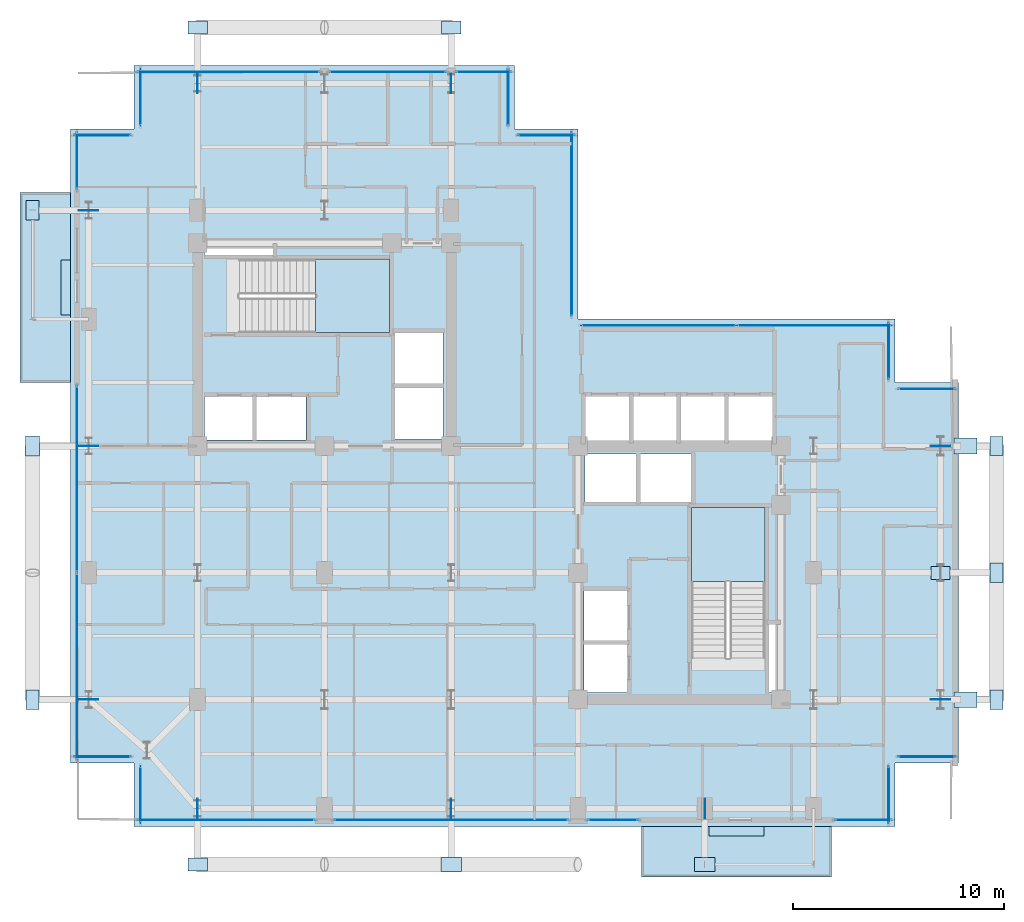
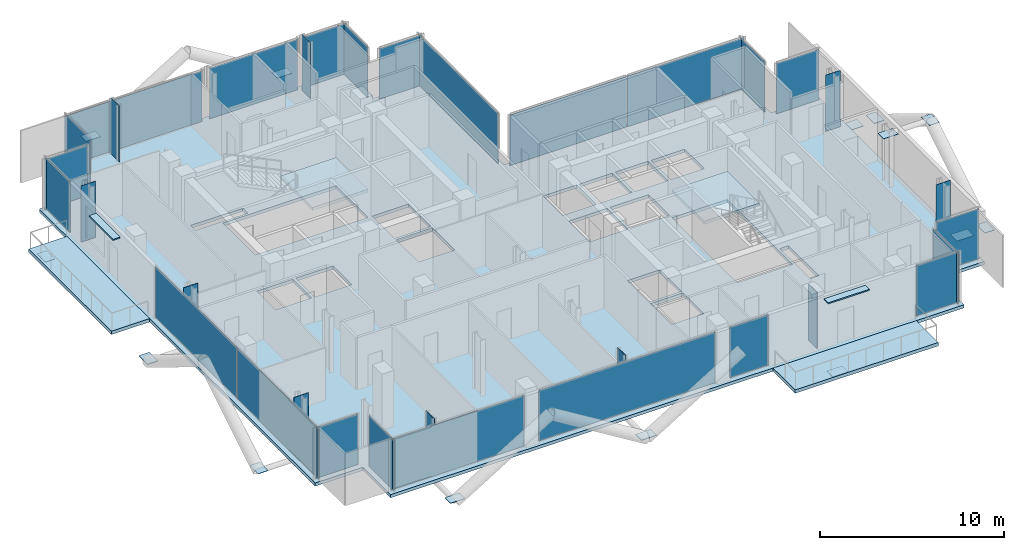
# One storey, part 16 of 26: 49 plates, 5 slabs, 23 elements without a shape of their own.
"""IFC4 building model written with IfcOpenShell, lengths in metres."""

from ifc_helpers import new_model, si_unit, direction, frame, origin, origin_2d, place, context, subcontext, project, spatial, polyline, rectangle, outline, extrude, material, layer, layer_set, type_object, element, aggregate, save


model = new_model("IFC4")

# Units and contexts
model_context = context("Model", 3, precision=1e-05, world=origin(), true_north=direction((0.0, 1.0)))
body_context = subcontext(model_context, "Body", "Model", "MODEL_VIEW")
ifc_project = project(units=[si_unit("LENGTHUNIT", "METRE"), si_unit("AREAUNIT", "SQUARE_METRE"), si_unit("VOLUMEUNIT", "CUBIC_METRE"), si_unit("PLANEANGLEUNIT", "RADIAN"), si_unit("MASSUNIT", "GRAM", prefix="KILO"), si_unit("THERMODYNAMICTEMPERATUREUNIT", "KELVIN"), si_unit("POWERUNIT", "WATT")], contexts=[model_context])

# Site, building, storey
site_placement = place(None, origin())
site = spatial("IfcSite", under=ifc_project, at=site_placement, CompositionType="ELEMENT")
building_placement = place(site_placement, origin())
building = spatial("IfcBuilding", under=site, at=building_placement, Name="Svarakhadi Broadcast Tower", CompositionType="ELEMENT")
storey_placement = place(building_placement, frame((0.0, 0.0, 195.449951171875)))
storey = spatial("IfcBuildingStorey", under=building, at=storey_placement, Name="L48", CompositionType="ELEMENT", Elevation=195.449951171875)

# Curtain wall, plate
ifc_material_1 = material(Name="Anodised Bronze Aluminium AA 6063-T6", Category="aluminium")
ifc_layer_1 = layer(ifc_material_1, 0.18994140625)
ifc_layer_set_1 = layer_set([ifc_layer_1], Name="Anodised Bronze Aluminium AA 6063-T6")
curtain_wall_type = type_object("IfcCurtainWallType", Name="CW_Sys_04", PredefinedType="NOTDEFINED", material=ifc_layer_set_1)
curtain_wall_1_placement = place(storey_placement, origin())
curtain_wall_1 = element("IfcCurtainWall", 1, at=curtain_wall_1_placement, inside=storey, type_object=curtain_wall_type, Name="L48 Unitised Facade Curtain Wall 01", PredefinedType="NOTDEFINED")
ifc_material_2 = material(Name="Double Low-E Laminated Acoustic Glass IGU 36 mm", Category="glass")
ifc_layer_2 = layer(ifc_material_2, 0.033935546875)
ifc_layer_set_2 = layer_set([ifc_layer_2], Name="Double Low-E Laminated Acoustic Glass IGU 36 mm")
plate_type_1 = type_object("IfcPlateType", Name="CW_Sys_04_Pnl", PredefinedType="CURTAIN_PANEL", material=ifc_layer_set_2)
plate_1_placement = place(storey_placement, frame((1.5, 3.300048828125, 0.06494140625), z_axis=(0.0, 0.0, 1.0), x_axis=(-1.0, 0.0, 0.0)))
plate_1 = element("IfcPlate", 2, at=plate_1_placement, type_object=plate_type_1, Name="CW-04 panel 1.1", PredefinedType="CURTAIN_PANEL", context=body_context, shape_type="SweptSolid", body=[
    extrude(rectangle(XDim=2.679931640625, YDim=0.033935546875, at=origin_2d()), origin(), (0.0, 0.0, 1.0), 3.344970703125),
])
aggregate(curtain_wall_1, [plate_1])

# Curtain wall, plates
curtain_wall_2_placement = place(storey_placement, origin())
curtain_wall_2 = element("IfcCurtainWall", 3, at=curtain_wall_2_placement, inside=storey, type_object=curtain_wall_type, Name="L48 West Curtain Wall 02", PredefinedType="NOTDEFINED")
plate_2_placement = place(storey_placement, frame((0.300048828125, 7.5625, 0.06494140625), z_axis=(0.0, 0.0, 1.0), x_axis=(0.0, 1.0, 0.0)))
plate_2 = element("IfcPlate", 4, at=plate_2_placement, type_object=plate_type_1, Name="CW-04 panel 1.1", PredefinedType="CURTAIN_PANEL", context=body_context, shape_type="SweptSolid", body=[
    extrude(rectangle(XDim=8.804931640625, YDim=0.033935546875, at=origin_2d()), origin(), (0.0, 0.0, 1.0), 3.344970703125),
])
plate_3_placement = place(storey_placement, frame((0.300048828125, 16.4375, 0.06494140625), z_axis=(0.0, 0.0, 1.0), x_axis=(0.0, 1.0, 0.0)))
plate_3 = element("IfcPlate", 5, at=plate_3_placement, type_object=plate_type_1, Name="CW-04 panel 2.1", PredefinedType="CURTAIN_PANEL", context=body_context, shape_type="SweptSolid", body=[
    extrude(rectangle(XDim=8.804931640625, YDim=0.033935546875, at=origin_2d()), origin(), (0.0, 0.0, 1.0), 3.344970703125),
])
aggregate(curtain_wall_2, [plate_2, plate_3])

# Curtain wall, plate
curtain_wall_3_placement = place(storey_placement, origin())
curtain_wall_3 = element("IfcCurtainWall", 6, at=curtain_wall_3_placement, inside=storey, type_object=curtain_wall_type, Name="L48 West Curtain Wall 03", PredefinedType="NOTDEFINED")
plate_4_placement = place(storey_placement, frame((0.300048828125, 31.5, 0.06494140625), z_axis=(0.0, 0.0, 1.0), x_axis=(0.0, 1.0, 0.0)))
plate_4 = element("IfcPlate", 7, at=plate_4_placement, type_object=plate_type_1, Name="CW-04 panel 1.1", PredefinedType="CURTAIN_PANEL", context=body_context, shape_type="SweptSolid", body=[
    extrude(rectangle(XDim=2.679931640625, YDim=0.033935546875, at=origin_2d()), origin(), (0.0, 0.0, 1.0), 3.344970703125),
])
aggregate(curtain_wall_3, [plate_4])

curtain_wall_4_placement = place(storey_placement, origin())
curtain_wall_4 = element("IfcCurtainWall", 8, at=curtain_wall_4_placement, inside=storey, type_object=curtain_wall_type, Name="L48 Unitised Facade Curtain Wall 04", PredefinedType="NOTDEFINED")
plate_5_placement = place(storey_placement, frame((1.5, 32.699951171875, 0.06494140625), z_axis=(0.0, 0.0, 1.0), x_axis=(1.0, 0.0, 0.0)))
plate_5 = element("IfcPlate", 9, at=plate_5_placement, type_object=plate_type_1, Name="CW-04 panel 1.1", PredefinedType="CURTAIN_PANEL", context=body_context, shape_type="SweptSolid", body=[
    extrude(rectangle(XDim=2.679931640625, YDim=0.033935546875, at=origin_2d()), origin(), (0.0, 0.0, 1.0), 3.344970703125),
])
aggregate(curtain_wall_4, [plate_5])

curtain_wall_5_placement = place(storey_placement, origin())
curtain_wall_5 = element("IfcCurtainWall", 10, at=curtain_wall_5_placement, inside=storey, type_object=curtain_wall_type, Name="L48 Unitised Facade Curtain Wall 05", PredefinedType="NOTDEFINED")
plate_6_placement = place(storey_placement, frame((3.300048828125, 34.5, 0.06494140625), z_axis=(0.0, 0.0, 1.0), x_axis=(0.0, 1.0, 0.0)))
plate_6 = element("IfcPlate", 11, at=plate_6_placement, type_object=plate_type_1, Name="CW-04 panel 1.1", PredefinedType="CURTAIN_PANEL", context=body_context, shape_type="SweptSolid", body=[
    extrude(rectangle(XDim=2.679931640625, YDim=0.033935546875, at=origin_2d()), origin(), (0.0, 0.0, 1.0), 3.344970703125),
])
aggregate(curtain_wall_5, [plate_6])

curtain_wall_6_placement = place(storey_placement, origin())
curtain_wall_6 = element("IfcCurtainWall", 12, at=curtain_wall_6_placement, inside=storey, type_object=curtain_wall_type, Name="L48 Unitised Facade Curtain Wall 06 Bay 1", PredefinedType="NOTDEFINED")
plate_7_placement = place(storey_placement, frame((7.4599609375, 35.699951171875, 0.06494140625), z_axis=(0.0, 0.0, 1.0), x_axis=(1.0, 0.0, 0.0)))
plate_7 = element("IfcPlate", 13, at=plate_7_placement, type_object=plate_type_1, Name="CW-04 panel 1.1", PredefinedType="CURTAIN_PANEL", context=body_context, shape_type="SweptSolid", body=[
    extrude(rectangle(XDim=8.60009765625, YDim=0.033935546875, at=origin_2d()), origin(), (0.0, 0.0, 1.0), 3.344970703125),
])
aggregate(curtain_wall_6, [plate_7])

curtain_wall_7_placement = place(storey_placement, origin())
curtain_wall_7 = element("IfcCurtainWall", 14, at=curtain_wall_7_placement, inside=storey, type_object=curtain_wall_type, Name="L48 Unitised Facade Curtain Wall 06 Bay 2", PredefinedType="NOTDEFINED")
plate_8_placement = place(storey_placement, frame((15.0, 35.699951171875, 0.06494140625), z_axis=(0.0, 0.0, 1.0), x_axis=(1.0, 0.0, 0.0)))
plate_8 = element("IfcPlate", 15, at=plate_8_placement, type_object=plate_type_1, Name="CW-04 panel 1.1", PredefinedType="CURTAIN_PANEL", context=body_context, shape_type="SweptSolid", body=[
    extrude(rectangle(XDim=5.52001953125, YDim=0.033935546875, at=origin_2d()), origin(), (0.0, 0.0, 1.0), 3.344970703125),
])
aggregate(curtain_wall_7, [plate_8])

curtain_wall_8_placement = place(storey_placement, origin())
curtain_wall_8 = element("IfcCurtainWall", 16, at=curtain_wall_8_placement, inside=storey, type_object=curtain_wall_type, Name="L48 Unitised Facade Curtain Wall 06 Bay 3", PredefinedType="NOTDEFINED")
plate_9_placement = place(storey_placement, frame((19.5400390625, 35.699951171875, 0.06494140625), z_axis=(0.0, 0.0, 1.0), x_axis=(1.0, 0.0, 0.0)))
plate_9 = element("IfcPlate", 17, at=plate_9_placement, type_object=plate_type_1, Name="CW-04 panel 1.1", PredefinedType="CURTAIN_PANEL", context=body_context, shape_type="SweptSolid", body=[
    extrude(rectangle(XDim=2.60009765625, YDim=0.033935546875, at=origin_2d()), origin(), (0.0, 0.0, 1.0), 3.344970703125),
])
aggregate(curtain_wall_8, [plate_9])

curtain_wall_9_placement = place(storey_placement, origin())
curtain_wall_9 = element("IfcCurtainWall", 18, at=curtain_wall_9_placement, inside=storey, type_object=curtain_wall_type, Name="L48 Unitised Facade Curtain Wall 07", PredefinedType="NOTDEFINED")
plate_10_placement = place(storey_placement, frame((20.699951171875, 34.5, 0.06494140625), z_axis=(0.0, 0.0, 1.0), x_axis=(0.0, -1.0, 0.0)))
plate_10 = element("IfcPlate", 19, at=plate_10_placement, type_object=plate_type_1, Name="CW-04 panel 1.1", PredefinedType="CURTAIN_PANEL", context=body_context, shape_type="SweptSolid", body=[
    extrude(rectangle(XDim=2.679931640625, YDim=0.033935546875, at=origin_2d()), origin(), (0.0, 0.0, 1.0), 3.344970703125),
])
aggregate(curtain_wall_9, [plate_10])

curtain_wall_10_placement = place(storey_placement, origin())
curtain_wall_10 = element("IfcCurtainWall", 20, at=curtain_wall_10_placement, inside=storey, type_object=curtain_wall_type, Name="L48 Unitised Facade Curtain Wall 08", PredefinedType="NOTDEFINED")
plate_11_placement = place(storey_placement, frame((22.5, 32.699951171875, 0.06494140625), z_axis=(0.0, 0.0, 1.0), x_axis=(1.0, 0.0, 0.0)))
plate_11 = element("IfcPlate", 21, at=plate_11_placement, type_object=plate_type_1, Name="CW-04 panel 1.1", PredefinedType="CURTAIN_PANEL", context=body_context, shape_type="SweptSolid", body=[
    extrude(rectangle(XDim=2.679931640625, YDim=0.033935546875, at=origin_2d()), origin(), (0.0, 0.0, 1.0), 3.344970703125),
])
aggregate(curtain_wall_10, [plate_11])

curtain_wall_11_placement = place(storey_placement, origin())
curtain_wall_11 = element("IfcCurtainWall", 22, at=curtain_wall_11_placement, inside=storey, type_object=curtain_wall_type, Name="L48 Unitised Facade Curtain Wall 09", PredefinedType="NOTDEFINED")
plate_12_placement = place(storey_placement, frame((23.699951171875, 28.5, 0.06494140625), z_axis=(0.0, 0.0, 1.0), x_axis=(0.0, -1.0, 0.0)))
plate_12 = element("IfcPlate", 23, at=plate_12_placement, type_object=plate_type_1, Name="CW-04 panel 1.1", PredefinedType="CURTAIN_PANEL", context=body_context, shape_type="SweptSolid", body=[
    extrude(rectangle(XDim=8.679931640625, YDim=0.033935546875, at=origin_2d()), origin(), (0.0, 0.0, 1.0), 3.344970703125),
])
aggregate(curtain_wall_11, [plate_12])

# Curtain wall, plates
curtain_wall_12_placement = place(storey_placement, origin())
curtain_wall_12 = element("IfcCurtainWall", 24, at=curtain_wall_12_placement, inside=storey, type_object=curtain_wall_type, Name="L48 Unitised Facade Curtain Wall 10", PredefinedType="NOTDEFINED")
plate_13_placement = place(storey_placement, frame((27.8125, 23.699951171875, 0.06494140625), z_axis=(0.0, 0.0, 1.0), x_axis=(1.0, 0.0, 0.0)))
plate_13 = element("IfcPlate", 25, at=plate_13_placement, type_object=plate_type_1, Name="CW-04 panel 1.1", PredefinedType="CURTAIN_PANEL", context=body_context, shape_type="SweptSolid", body=[
    extrude(rectangle(XDim=7.304931640625, YDim=0.033935546875, at=origin_2d()), origin(), (0.0, 0.0, 1.0), 3.344970703125),
])
plate_14_placement = place(storey_placement, frame((35.1875, 23.699951171875, 0.06494140625), z_axis=(0.0, 0.0, 1.0), x_axis=(1.0, 0.0, 0.0)))
plate_14 = element("IfcPlate", 26, at=plate_14_placement, type_object=plate_type_1, Name="CW-04 panel 2.1", PredefinedType="CURTAIN_PANEL", context=body_context, shape_type="SweptSolid", body=[
    extrude(rectangle(XDim=7.304931640625, YDim=0.033935546875, at=origin_2d()), origin(), (0.0, 0.0, 1.0), 3.344970703125),
])
aggregate(curtain_wall_12, [plate_13, plate_14])

# Curtain wall, plate
curtain_wall_13_placement = place(storey_placement, origin())
curtain_wall_13 = element("IfcCurtainWall", 27, at=curtain_wall_13_placement, inside=storey, type_object=curtain_wall_type, Name="L48 Unitised Facade Curtain Wall 11", PredefinedType="NOTDEFINED")
plate_15_placement = place(storey_placement, frame((38.699951171875, 22.5, 0.06494140625), z_axis=(0.0, 0.0, 1.0), x_axis=(0.0, -1.0, 0.0)))
plate_15 = element("IfcPlate", 28, at=plate_15_placement, type_object=plate_type_1, Name="CW-04 panel 1.1", PredefinedType="CURTAIN_PANEL", context=body_context, shape_type="SweptSolid", body=[
    extrude(rectangle(XDim=2.679931640625, YDim=0.033935546875, at=origin_2d()), origin(), (0.0, 0.0, 1.0), 3.344970703125),
])
aggregate(curtain_wall_13, [plate_15])

curtain_wall_14_placement = place(storey_placement, origin())
curtain_wall_14 = element("IfcCurtainWall", 29, at=curtain_wall_14_placement, inside=storey, type_object=curtain_wall_type, Name="L48 Unitised Facade Curtain Wall 12", PredefinedType="NOTDEFINED")
plate_16_placement = place(storey_placement, frame((40.5, 20.699951171875, 0.06494140625), z_axis=(0.0, 0.0, 1.0), x_axis=(1.0, 0.0, 0.0)))
plate_16 = element("IfcPlate", 30, at=plate_16_placement, type_object=plate_type_1, Name="CW-04 panel 1.1", PredefinedType="CURTAIN_PANEL", context=body_context, shape_type="SweptSolid", body=[
    extrude(rectangle(XDim=2.679931640625, YDim=0.033935546875, at=origin_2d()), origin(), (0.0, 0.0, 1.0), 3.344970703125),
])
aggregate(curtain_wall_14, [plate_16])

curtain_wall_15_placement = place(storey_placement, origin())
curtain_wall_15 = element("IfcCurtainWall", 31, at=curtain_wall_15_placement, inside=storey, type_object=curtain_wall_type, Name="L48 Unitised Facade Curtain Wall 13", PredefinedType="NOTDEFINED")
plate_17_placement = place(storey_placement, frame((40.5, 3.300048828125, 0.06494140625), z_axis=(0.0, 0.0, 1.0), x_axis=(-1.0, 0.0, 0.0)))
plate_17 = element("IfcPlate", 32, at=plate_17_placement, type_object=plate_type_1, Name="CW-04 panel 1.1", PredefinedType="CURTAIN_PANEL", context=body_context, shape_type="SweptSolid", body=[
    extrude(rectangle(XDim=2.679931640625, YDim=0.033935546875, at=origin_2d()), origin(), (0.0, 0.0, 1.0), 3.344970703125),
])
aggregate(curtain_wall_15, [plate_17])

curtain_wall_16_placement = place(storey_placement, origin())
curtain_wall_16 = element("IfcCurtainWall", 33, at=curtain_wall_16_placement, inside=storey, type_object=curtain_wall_type, Name="L48 Unitised Facade Curtain Wall 14", PredefinedType="NOTDEFINED")
plate_18_placement = place(storey_placement, frame((38.699951171875, 1.5, 0.06494140625), z_axis=(0.0, 0.0, 1.0), x_axis=(0.0, -1.0, 0.0)))
plate_18 = element("IfcPlate", 34, at=plate_18_placement, type_object=plate_type_1, Name="CW-04 panel 1.1", PredefinedType="CURTAIN_PANEL", context=body_context, shape_type="SweptSolid", body=[
    extrude(rectangle(XDim=2.679931640625, YDim=0.033935546875, at=origin_2d()), origin(), (0.0, 0.0, 1.0), 3.344970703125),
])
aggregate(curtain_wall_16, [plate_18])

curtain_wall_17_placement = place(storey_placement, origin())
curtain_wall_17 = element("IfcCurtainWall", 35, at=curtain_wall_17_placement, inside=storey, type_object=curtain_wall_type, Name="L48 South Curtain Wall 15", PredefinedType="NOTDEFINED")
plate_19_placement = place(storey_placement, frame((37.5, 0.300048828125, 0.06494140625), z_axis=(0.0, 0.0, 1.0), x_axis=(-1.0, 0.0, 0.0)))
plate_19 = element("IfcPlate", 36, at=plate_19_placement, type_object=plate_type_1, Name="CW-04 panel 1.1", PredefinedType="CURTAIN_PANEL", context=body_context, shape_type="SweptSolid", body=[
    extrude(rectangle(XDim=2.679931640625, YDim=0.033935546875, at=origin_2d()), origin(), (0.0, 0.0, 1.0), 3.344970703125),
])
aggregate(curtain_wall_17, [plate_19])

curtain_wall_18_placement = place(storey_placement, origin())
curtain_wall_18 = element("IfcCurtainWall", 37, at=curtain_wall_18_placement, inside=storey, type_object=curtain_wall_type, Name="L48 South Curtain Wall 16 Bay 1", PredefinedType="NOTDEFINED")
plate_20_placement = place(storey_placement, frame((25.652587890625, 0.300048828125, 0.06494140625), z_axis=(0.0, 0.0, 1.0), x_axis=(-1.0, 0.0, 0.0)))
plate_20 = element("IfcPlate", 38, at=plate_20_placement, type_object=plate_type_1, Name="CW-04 panel 1.1", PredefinedType="CURTAIN_PANEL", context=body_context, shape_type="SweptSolid", body=[
    extrude(rectangle(XDim=2.375, YDim=0.033935546875, at=origin_2d()), origin(), (0.0, 0.0, 1.0), 3.344970703125),
])
aggregate(curtain_wall_18, [plate_20])

curtain_wall_19_placement = place(storey_placement, origin())
curtain_wall_19 = element("IfcCurtainWall", 39, at=curtain_wall_19_placement, inside=storey, type_object=curtain_wall_type, Name="L48 South Curtain Wall 16 Bay 2", PredefinedType="NOTDEFINED")
plate_21_placement = place(storey_placement, frame((18.0, 0.300048828125, 0.06494140625), z_axis=(0.0, 0.0, 1.0), x_axis=(-1.0, 0.0, 0.0)))
plate_21 = element("IfcPlate", 40, at=plate_21_placement, type_object=plate_type_1, Name="CW-04 panel 1.1", PredefinedType="CURTAIN_PANEL", context=body_context, shape_type="SweptSolid", body=[
    extrude(rectangle(XDim=11.070068359375, YDim=0.033935546875, at=origin_2d()), origin(), (0.0, 0.0, 1.0), 3.344970703125),
])
aggregate(curtain_wall_19, [plate_21])

curtain_wall_20_placement = place(storey_placement, origin())
curtain_wall_20 = element("IfcCurtainWall", 41, at=curtain_wall_20_placement, inside=storey, type_object=curtain_wall_type, Name="L48 South Curtain Wall 16 Bay 3", PredefinedType="NOTDEFINED")
plate_22_placement = place(storey_placement, frame((7.347412109375, 0.300048828125, 0.06494140625), z_axis=(0.0, 0.0, 1.0), x_axis=(-1.0, 0.0, 0.0)))
plate_22 = element("IfcPlate", 42, at=plate_22_placement, type_object=plate_type_1, Name="CW-04 panel 1.1", PredefinedType="CURTAIN_PANEL", context=body_context, shape_type="SweptSolid", body=[
    extrude(rectangle(XDim=8.375, YDim=0.033935546875, at=origin_2d()), origin(), (0.0, 0.0, 1.0), 3.344970703125),
])
aggregate(curtain_wall_20, [plate_22])

curtain_wall_21_placement = place(storey_placement, origin())
curtain_wall_21 = element("IfcCurtainWall", 43, at=curtain_wall_21_placement, inside=storey, type_object=curtain_wall_type, Name="L48 Unitised Facade Curtain Wall 17", PredefinedType="NOTDEFINED")
plate_23_placement = place(storey_placement, frame((3.300048828125, 1.5, 0.06494140625), z_axis=(0.0, 0.0, 1.0), x_axis=(0.0, 1.0, 0.0)))
plate_23 = element("IfcPlate", 44, at=plate_23_placement, type_object=plate_type_1, Name="CW-04 panel 1.1", PredefinedType="CURTAIN_PANEL", context=body_context, shape_type="SweptSolid", body=[
    extrude(rectangle(XDim=2.679931640625, YDim=0.033935546875, at=origin_2d()), origin(), (0.0, 0.0, 1.0), 3.344970703125),
])
aggregate(curtain_wall_21, [plate_23])

# Plates
ifc_material_3 = material(Name="Steel S460ML (IS 2062 E450BR)", Category="steel")
ifc_layer_3 = layer(ifc_material_3, 0.028076171875)
ifc_layer_set_3 = layer_set([ifc_layer_3], Name="Steel S460ML (IS 2062 E450BR)")
plate_type_2 = type_object("IfcPlateType", Name="Node_Gusset_N03", PredefinedType="SHEET", material=ifc_layer_set_3)
for number, where, z_axis, x_axis, name in (
    (45, (18.0, -1.800048828125, -0.2099609375), (0.0, 0.0, 1.0), (1.0, 0.0, 0.0), "L48 Exoskeleton Gusset Node Plate S02"),
    (46, (30.0, -1.800048828125, -0.2099609375), (0.0, 0.0, 1.0), (1.0, 0.0, 0.0), "L48 Exoskeleton Gusset Node Plate S03"),
    (47, (-1.800048828125, 18.0, -0.2099609375), (0.0, 0.0, 1.0), (0.0, 1.0, 0.0), "L48 Exoskeleton Gusset Node Plate W05"),
):
    element("IfcPlate", number, at=place(storey_placement, frame(where, z_axis=z_axis, x_axis=x_axis)), inside=storey, type_object=plate_type_2, Name=name, PredefinedType="SHEET", context=body_context, shape_type="SweptSolid", body=[
        extrude(rectangle(XDim=0.9599609375, YDim=0.659912109375, at=origin_2d()), origin(), (0.0, 0.0, 1.0), 0.028076171875),
    ])
ifc_layer_4 = layer(ifc_material_3, 0.02587890625)
ifc_layer_set_4 = layer_set([ifc_layer_4], Name="Steel S460ML (IS 2062 E450BR)")
plate_type_3 = type_object("IfcPlateType", Name="Node_Gusset_N07", PredefinedType="SHEET", material=ifc_layer_set_4)
for number, where, z_axis, x_axis, name in (
    (48, (6.0, -1.800048828125, -0.2099609375), (0.0, 0.0, 1.0), (1.0, 0.0, 0.0), "L48 Exoskeleton Gusset Node Plate S01"),
    (49, (-1.800048828125, 6.0, -0.2099609375), (0.0, 0.0, 1.0), (0.0, 1.0, 0.0), "L48 Exoskeleton Gusset Node Plate W04"),
    (50, (-1.800048828125, 29.14990234375, -0.2099609375), (0.0, 0.0, 1.0), (0.0, 1.0, 0.0), "L48 Exoskeleton Gusset Node Plate W06"),
    (51, (43.800048828125, 6.0, -0.2099609375), (0.0, 0.0, 1.0), (0.0, 1.0, 0.0), "L48 Exoskeleton Gusset Node Plate E07"),
    (52, (43.800048828125, 18.0, -0.2099609375), (0.0, 0.0, 1.0), (0.0, 1.0, 0.0), "L48 Exoskeleton Gusset Node Plate E08"),
    (53, (6.0, 37.800048828125, -0.2099609375), (0.0, 0.0, 1.0), (1.0, 0.0, 0.0), "L48 Exoskeleton Gusset Node Plate N09"),
    (54, (18.0, 37.800048828125, -0.2099609375), (0.0, 0.0, 1.0), (1.0, 0.0, 0.0), "L48 Exoskeleton Gusset Node Plate N10"),
):
    element("IfcPlate", number, at=place(storey_placement, frame(where, z_axis=z_axis, x_axis=x_axis)), inside=storey, type_object=plate_type_3, Name=name, PredefinedType="SHEET", context=body_context, shape_type="SweptSolid", body=[
        extrude(rectangle(XDim=0.919921875, YDim=0.6201171875, at=origin_2d()), origin(), (0.0, 0.0, 1.0), 0.02587890625),
    ])
for number, where, z_axis, x_axis, name in (
    (55, (6.0, 0.85009765625, -0.57177734375), (0.0, 0.0, 1.0), (0.0, 1.0, 0.0), "L48 Brace End Connection Gusset Plate N-07-E0393"),
    (56, (18.0, 0.85009765625, -0.57177734375), (0.0, 0.0, 1.0), (0.0, 1.0, 0.0), "L48 Brace End Connection Gusset Plate N-07-E0394"),
    (57, (30.0, 0.85009765625, -0.57177734375), (0.0, 0.0, 1.0), (0.0, 1.0, 0.0), "L48 Brace End Connection Gusset Plate N-07-E0395"),
    (58, (0.85009765625, 6.0, -0.57177734375), (0.0, 0.0, 1.0), (1.0, 0.0, 0.0), "L48 Brace End Connection Gusset Plate N-07-E0396"),
    (59, (0.85009765625, 18.0, -0.57177734375), (0.0, 0.0, 1.0), (1.0, 0.0, 0.0), "L48 Brace End Connection Gusset Plate N-07-E0397"),
    (60, (0.85009765625, 29.14990234375, -0.57177734375), (0.0, 0.0, 1.0), (1.0, 0.0, 0.0), "L48 Brace End Connection Gusset Plate N-07-E0398"),
    (61, (41.14990234375, 6.0, -0.57177734375), (0.0, 0.0, 1.0), (1.0, 0.0, 0.0), "L48 Brace End Connection Gusset Plate N-07-E0399"),
    (62, (41.14990234375, 18.0, -0.57177734375), (0.0, 0.0, 1.0), (1.0, 0.0, 0.0), "L48 Brace End Connection Gusset Plate N-07-E0400"),
):
    element("IfcPlate", number, at=place(storey_placement, frame(where, z_axis=z_axis, x_axis=x_axis)), inside=storey, type_object=plate_type_3, Name=name, PredefinedType="SHEET", context=body_context, shape_type="SweptSolid", body=[
        extrude(rectangle(XDim=0.919921875, YDim=0.02587890625, at=origin_2d()), origin(), (0.0, 0.0, 1.0), 4.300048828125),
    ])
for number, where, z_axis, x_axis, name in (
    (63, (43.800048828125, 12.0, 3.300048828125), (0.0, 0.0, 1.0), (0.0, 1.0, 0.0), "L48 Brace End Connection Gusset Plate N-07-E0401"),
    (64, (41.14990234375, 12.0, 3.300048828125), (0.0, 0.0, 1.0), (1.0, 0.0, 0.0), "L48 Brace End Connection Gusset Plate N-07-E0402"),
):
    element("IfcPlate", number, at=place(storey_placement, frame(where, z_axis=z_axis, x_axis=x_axis)), inside=storey, type_object=plate_type_3, Name=name, PredefinedType="SHEET", context=body_context, shape_type="SweptSolid", body=[
        extrude(rectangle(XDim=0.919921875, YDim=0.6201171875, at=origin_2d()), origin(), (0.0, 0.0, 1.0), 0.02587890625),
    ])
for number, where, z_axis, x_axis, name in (
    (65, (6.0, 35.14990234375, -0.57177734375), (0.0, 0.0, 1.0), (0.0, 1.0, 0.0), "L48 Brace End Connection Gusset Plate N-07-E0403"),
    (66, (18.0, 35.14990234375, -0.57177734375), (0.0, 0.0, 1.0), (0.0, 1.0, 0.0), "L48 Brace End Connection Gusset Plate N-07-E0404"),
):
    element("IfcPlate", number, at=place(storey_placement, frame(where, z_axis=z_axis, x_axis=x_axis)), inside=storey, type_object=plate_type_3, Name=name, PredefinedType="SHEET", context=body_context, shape_type="SweptSolid", body=[
        extrude(rectangle(XDim=0.919921875, YDim=0.02587890625, at=origin_2d()), origin(), (0.0, 0.0, 1.0), 4.300048828125),
    ])
ifc_layer_5 = layer(ifc_material_3, 0.031982421875)
ifc_layer_set_5 = layer_set([ifc_layer_5], Name="Steel S460ML (IS 2062 E450BR)")
plate_type_4 = type_object("IfcPlateType", Name="Pool_Node_PN01", PredefinedType="SHEET", material=ifc_layer_set_5)
for number, where, z_axis, x_axis, name in (
    (67, (42.326904296875, 6.0, -0.2099609375), (0.0, 0.0, 1.0), (1.0, 0.0, 0.0), "L48 Sky Pool Raker Radial Strut Collar Gusset PN-01-X07"),
    (68, (42.326904296875, 18.0, -0.2099609375), (0.0, 0.0, 1.0), (1.0, 0.0, 0.0), "L48 Sky Pool Raker Radial Strut Collar Gusset PN-01-X08"),
):
    element("IfcPlate", number, at=place(storey_placement, frame(where, z_axis=z_axis, x_axis=x_axis)), inside=storey, type_object=plate_type_4, Name=name, PredefinedType="SHEET", context=body_context, shape_type="SweptSolid", body=[
        extrude(rectangle(XDim=1.080078125, YDim=0.739990234375, at=origin_2d()), origin(), (0.0, 0.0, 1.0), 0.031982421875),
    ])

# Slab
ifc_material_4 = material(Name="Concrete C40/50 (IS 456 M50)", Category="concrete")
ifc_layer_6 = layer(ifc_material_4, 0.2099609375)
ifc_layer_set_6 = layer_set([ifc_layer_6], Name="Concrete C40/50 (IS 456 M50)")
slab_type_1 = type_object("IfcSlabType", Name="Slab_Floor_210", PredefinedType="FLOOR", material=ifc_layer_set_6)
slab_1_placement = place(storey_placement, frame((0.0, 0.0, -0.2099609375)))
element("IfcSlab", 69, at=slab_1_placement, inside=storey, type_object=slab_type_1, Name="L48 Structural Floor Slab", PredefinedType="FLOOR", context=body_context, shape_type="SweptSolid", body=[
    extrude(outline(polyline([(3.0, 0.0), (39.0, 0.0), (39.0, 3.0), (42.0, 3.0), (42.0, 21.0), (39.0, 21.0), (39.0, 24.0), (24.0, 24.0), (24.0, 33.0), (21.0, 33.0), (21.0, 36.0), (3.0, 36.0), (3.0, 33.0), (0.0, 33.0), (0.0, 3.0), (3.0, 3.0), (3.0, 0.0)]), holes=[polyline([(7.97998046875, 23.360107421875), (15.080078125, 23.360107421875), (15.080078125, 26.840087890625), (7.97998046875, 26.840087890625), (7.97998046875, 23.360107421875)]), polyline([(32.840087890625, 7.97998046875), (32.840087890625, 15.080078125), (29.360107421875, 15.080078125), (29.360107421875, 7.97998046875), (32.840087890625, 7.97998046875)]), polyline([(6.340087890625, 18.2900390625), (8.610107421875, 18.2900390625), (8.610107421875, 20.330078125), (6.340087890625, 20.330078125), (6.340087890625, 18.2900390625)]), polyline([(8.7900390625, 18.2900390625), (11.1298828125, 18.2900390625), (11.1298828125, 20.330078125), (8.7900390625, 20.330078125), (8.7900390625, 18.2900390625)]), polyline([(24.2900390625, 6.340087890625), (26.330078125, 6.340087890625), (26.330078125, 8.610107421875), (24.2900390625, 8.610107421875), (24.2900390625, 6.340087890625)]), polyline([(24.2900390625, 8.7900390625), (26.330078125, 8.7900390625), (26.330078125, 11.1298828125), (24.2900390625, 11.1298828125), (24.2900390625, 8.7900390625)]), polyline([(6.340087890625, 26.989990234375), (9.610107421875, 26.989990234375), (9.610107421875, 27.530029296875), (6.340087890625, 27.530029296875), (6.340087890625, 26.989990234375)]), polyline([(32.989990234375, 6.340087890625), (33.530029296875, 6.340087890625), (33.530029296875, 9.610107421875), (32.989990234375, 9.610107421875), (32.989990234375, 6.340087890625)]), polyline([(15.340087890625, 18.340087890625), (17.610107421875, 18.340087890625), (17.610107421875, 20.760009765625), (15.340087890625, 20.760009765625), (15.340087890625, 18.340087890625)]), polyline([(15.340087890625, 20.93994140625), (17.610107421875, 20.93994140625), (17.610107421875, 23.360107421875), (15.340087890625, 23.360107421875), (15.340087890625, 20.93994140625)]), polyline([(24.340087890625, 15.340087890625), (26.760009765625, 15.340087890625), (26.760009765625, 17.610107421875), (24.340087890625, 17.610107421875), (24.340087890625, 15.340087890625)]), polyline([(26.93994140625, 15.340087890625), (29.360107421875, 15.340087890625), (29.360107421875, 17.610107421875), (26.93994140625, 17.610107421875), (26.93994140625, 15.340087890625)]), polyline([(24.340087890625, 18.239990234375), (26.429931640625, 18.239990234375), (26.429931640625, 20.360107421875), (24.340087890625, 20.360107421875), (24.340087890625, 18.239990234375)]), polyline([(26.610107421875, 18.239990234375), (28.679931640625, 18.239990234375), (28.679931640625, 20.360107421875), (26.610107421875, 20.360107421875), (26.610107421875, 18.239990234375)]), polyline([(28.860107421875, 18.239990234375), (30.929931640625, 18.239990234375), (30.929931640625, 20.360107421875), (28.860107421875, 20.360107421875), (28.860107421875, 18.239990234375)]), polyline([(31.110107421875, 18.239990234375), (33.2099609375, 18.239990234375), (33.2099609375, 20.360107421875), (31.110107421875, 20.360107421875), (31.110107421875, 18.239990234375)])]), origin(), (0.0, 0.0, 1.0), 0.2099609375),
])

# Stair, slab
stair_type = type_object("IfcStairType", Name="Stair_Exit_Core", PredefinedType="HALF_TURN_STAIR", material=ifc_material_4)
stair_1_placement = place(storey_placement, origin())
stair_1 = element("IfcStair", 70, at=stair_1_placement, inside=storey, type_object=stair_type, Name="L48 West Core Protected Exit Stair ST-01", PredefinedType="HALF_TURN_STAIR")
ifc_layer_7 = layer(ifc_material_4, 0.199951171875)
ifc_layer_set_7 = layer_set([ifc_layer_7], Name="Concrete C40/50 (IS 456 M50)")
slab_type_2 = type_object("IfcSlabType", Name="Slab_Stair_Land", PredefinedType="LANDING", material=ifc_layer_set_7)
slab_2_placement = place(storey_placement, frame((0.0, 0.0, 1.675048828125)))
slab_2 = element("IfcSlab", 71, at=slab_2_placement, type_object=slab_type_2, Name="ST-01 landing 1", PredefinedType="LANDING", context=body_context, shape_type="SweptSolid", body=[
    extrude(outline(polyline([(11.580078125, 23.360107421875), (15.080078125, 23.360107421875), (15.080078125, 26.840087890625), (11.580078125, 26.840087890625), (11.580078125, 23.360107421875)])), origin(), (0.0, 0.0, 1.0), 0.199951171875),
])
aggregate(stair_1, [slab_2])

stair_2_placement = place(storey_placement, origin())
stair_2 = element("IfcStair", 72, at=stair_2_placement, inside=storey, type_object=stair_type, Name="L48 East Core Protected Exit Stair ST-02", PredefinedType="HALF_TURN_STAIR")
slab_3_placement = place(storey_placement, frame((0.0, 0.0, 1.675048828125)))
slab_3 = element("IfcSlab", 73, at=slab_3_placement, type_object=slab_type_2, Name="ST-02 landing 1", PredefinedType="LANDING", context=body_context, shape_type="SweptSolid", body=[
    extrude(outline(polyline([(32.840087890625, 11.580078125), (32.840087890625, 15.080078125), (29.360107421875, 15.080078125), (29.360107421875, 11.580078125), (32.840087890625, 11.580078125)])), origin(), (0.0, 0.0, 1.0), 0.199951171875),
])
aggregate(stair_2, [slab_3])

# Slabs
ifc_layer_8 = layer(ifc_material_4, 0.22509765625)
ifc_layer_set_8 = layer_set([ifc_layer_8], Name="Concrete C40/50 (IS 456 M50)")
slab_type_3 = type_object("IfcSlabType", Name="Slab_TreeBalcony", PredefinedType="FLOOR", material=ifc_layer_set_8)
slab_4_placement = place(storey_placement, frame((0.0, 0.0, -0.224853515625)))
element("IfcSlab", 74, at=slab_4_placement, inside=storey, type_object=slab_type_3, Name="L48 Planted Tree Balcony Slab BAL-E", PredefinedType="FLOOR", context=body_context, shape_type="SweptSolid", body=[
    extrude(outline(polyline([(27.0, -2.39990234375), (36.0, -2.39990234375), (36.0, 0.0), (27.0, 0.0), (27.0, -2.39990234375)])), origin(), (0.0, 0.0, 1.0), 0.224853515625),
])
slab_5_placement = place(storey_placement, frame((0.0, 0.0, -0.224853515625)))
element("IfcSlab", 75, at=slab_5_placement, inside=storey, type_object=slab_type_3, Name="L48 Planted Tree Balcony Slab BAL-N", PredefinedType="FLOOR", context=body_context, shape_type="SweptSolid", body=[
    extrude(outline(polyline([(-2.39990234375, 21.0), (0.0, 21.0), (0.0, 30.0), (-2.39990234375, 30.0), (-2.39990234375, 21.0)])), origin(), (0.0, 0.0, 1.0), 0.224853515625),
])

# Plates
ifc_layer_9 = layer(ifc_material_1, 0.080078125)
ifc_layer_set_9 = layer_set([ifc_layer_9], Name="Anodised Bronze Aluminium AA 6063-T6")
plate_type_5 = type_object("IfcPlateType", Name="Sunshade_Fin_SS01", PredefinedType="USERDEFINED", material=ifc_layer_set_9)
for number, where, z_axis, x_axis, name in (
    (76, (31.5, -0.22509765625, 3.39501953125), (0.0, 0.0, 1.0), (1.0, 0.0, 0.0), "L48 South Bronze Brise-Soleil Sunshade SS-01"),
    (77, (-0.22509765625, 25.5, 3.39501953125), (0.0, 0.0, 1.0), (0.0, 1.0, 0.0), "L48 West Bronze Brise-Soleil Sunshade SS-01"),
):
    element("IfcPlate", number, at=place(storey_placement, frame(where, z_axis=z_axis, x_axis=x_axis)), inside=storey, type_object=plate_type_5, Name=name, ObjectType="SUNSHADE", PredefinedType="USERDEFINED", context=body_context, shape_type="SweptSolid", body=[
        extrude(rectangle(XDim=2.60009765625, YDim=0.449951171875, at=origin_2d()), origin(), (0.0, 0.0, 1.0), 0.080078125),
    ])

save(model, "model.ifc")
